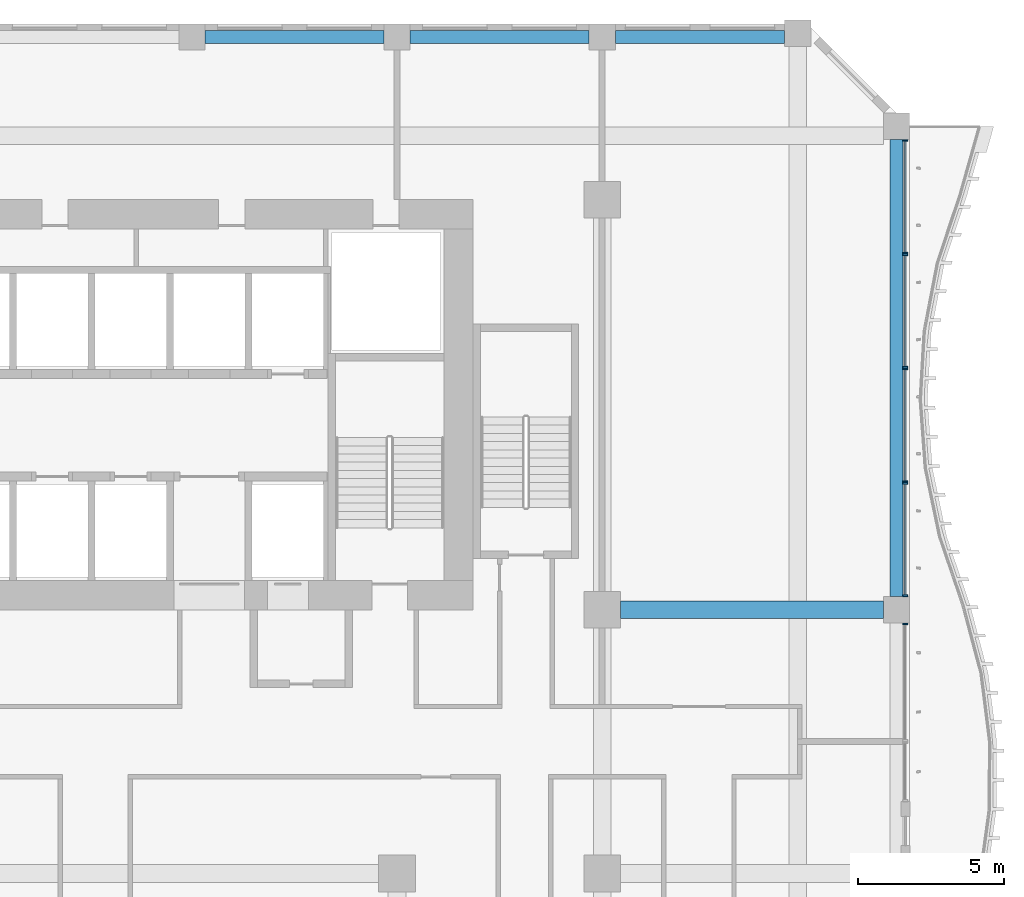
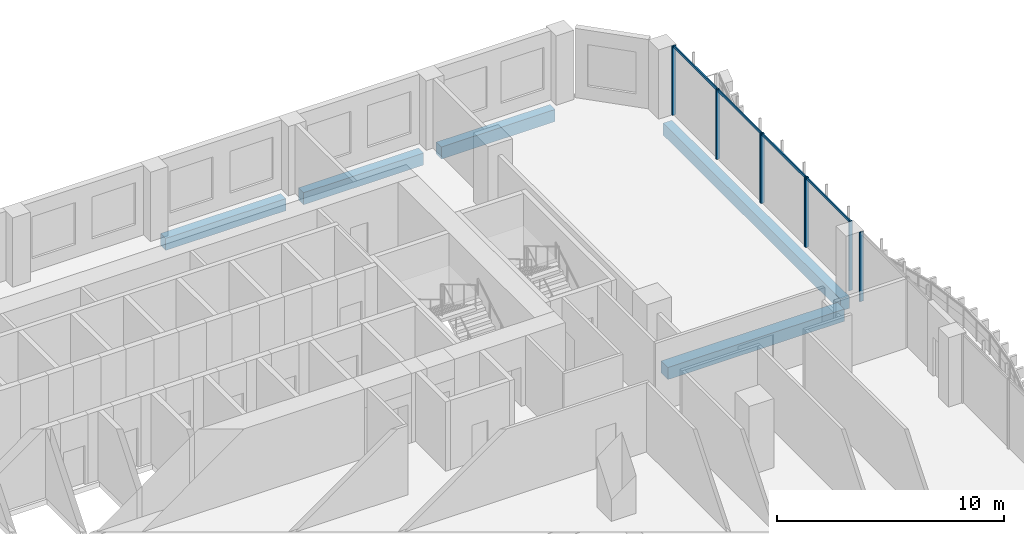
# One storey, part 11 of 29: 13 members, 5 beams, 5 elements without a shape of their own.
"""IFC4 building model written with IfcOpenShell, lengths in metres."""

from ifc_helpers import new_model, si_unit, direction, frame, origin, origin_2d, place, context, subcontext, project, spatial, rectangle, extrude, source, transform, mapped, material, material_profile, profile_set, type_object, element, aggregate, save


model = new_model("IFC4")

# Units and contexts
model_context = context("Model", 3, precision=1e-05, world=origin(), true_north=direction((0.0, 1.0)))
body_context = subcontext(model_context, "Body", "Model", "MODEL_VIEW")
ifc_project = project(units=[si_unit("LENGTHUNIT", "METRE"), si_unit("AREAUNIT", "SQUARE_METRE"), si_unit("VOLUMEUNIT", "CUBIC_METRE"), si_unit("PLANEANGLEUNIT", "RADIAN"), si_unit("MASSUNIT", "GRAM", prefix="KILO")], contexts=[model_context])

# Site, building, storey
site_placement = place(None, origin())
site = spatial("IfcSite", under=ifc_project, at=site_placement, CompositionType="ELEMENT")
building_placement = place(site_placement, origin())
building = spatial("IfcBuilding", under=site, at=building_placement, Name="Kilnfold Tower and Market Hall", CompositionType="ELEMENT")
storey_placement = place(building_placement, frame((0.0, 0.0, 79.199951171875)))
storey = spatial("IfcBuildingStorey", under=building, at=storey_placement, Name="L18", CompositionType="ELEMENT", Elevation=79.199951171875)

# Beams
ifc_material_1 = material(Name="Concrete C45", Category="concrete")
ifc_material_profile_1 = material_profile(ifc_material_1, rectangle(XDim=0.449951171875, YDim=0.64990234375, at=origin_2d()), Name="RC 450x650")
ifc_profile_set_1 = profile_set([ifc_material_profile_1], Name="Concrete C45")
beam_type_1 = type_object("IfcBeamType", Name="EDGE BEAM 450X650 C45", PredefinedType="BEAM", material=ifc_profile_set_1)
shared_shape_1 = source(origin(), body_context, "Body", "SweptSolid", [
    extrude(rectangle(XDim=0.449951171875, YDim=0.64990234375, at=origin_2d()), origin(), (0.0, 0.0, 1.0), 6.10009765625),
])
for number, where, z_axis, x_axis, name in (
    (1, (8.949951171875, 27.550048828125, -0.60498046875), (1.0, 0.0, 0.0), (0.0, 1.0, 0.0), "Beam EB650-B2.79"),
    (2, (15.949951171875, 27.550048828125, -0.60498046875), (1.0, 0.0, 0.0), (0.0, 1.0, 0.0), "Beam EB650-B2.80"),
):
    element("IfcBeam", number, at=place(storey_placement, frame(where, z_axis=z_axis, x_axis=x_axis)), inside=storey, type_object=beam_type_1, Name=name, PredefinedType="BEAM", context=body_context, shape_type="MappedRepresentation", body=[
        mapped(shared_shape_1, transform((0.0, 0.0, 0.0))),
    ])
shared_shape_2 = source(origin(), body_context, "Body", "SweptSolid", [
    extrude(rectangle(XDim=0.449951171875, YDim=0.64990234375, at=origin_2d()), origin(), (0.0, 0.0, 1.0), 5.78173828125),
])
beam_1_placement = place(storey_placement, frame((22.949951171875, 27.550048828125, -0.60498046875), z_axis=(1.0, 0.0, 0.0), x_axis=(0.0, 1.0, 0.0)))
element("IfcBeam", 3, at=beam_1_placement, inside=storey, type_object=beam_type_1, Name="Beam EB650-B2.81", PredefinedType="BEAM", context=body_context, shape_type="MappedRepresentation", body=[
    mapped(shared_shape_2, transform((0.0, 0.0, 0.0))),
])
shared_shape_3 = source(origin(), body_context, "Body", "SweptSolid", [
    extrude(rectangle(XDim=0.449951171875, YDim=0.64990234375, at=origin_2d()), origin(), (0.0, 0.0, 1.0), 15.60009765625),
])
beam_2_placement = place(storey_placement, frame((32.550048828125, 8.449951171875, -0.60498046875), z_axis=(0.0, 1.0, 0.0), x_axis=(-1.0, 0.0, 0.0)))
element("IfcBeam", 4, at=beam_2_placement, inside=storey, type_object=beam_type_1, Name="Beam EB650-B2.103", PredefinedType="BEAM", context=body_context, shape_type="MappedRepresentation", body=[
    mapped(shared_shape_3, transform((0.0, 0.0, 0.0))),
])
ifc_material_2 = material(Name="Concrete C45", Category="concrete")
ifc_material_profile_2 = material_profile(ifc_material_2, rectangle(XDim=0.60009765625, YDim=0.64990234375, at=origin_2d()), Name="RC 600x650")
ifc_profile_set_2 = profile_set([ifc_material_profile_2], Name="Concrete C45")
beam_type_2 = type_object("IfcBeamType", Name="BEAM 600X650 C45", PredefinedType="BEAM", material=ifc_profile_set_2)
shared_shape_4 = source(origin(), body_context, "Body", "SweptSolid", [
    extrude(rectangle(XDim=0.60009765625, YDim=0.64990234375, at=origin_2d()), origin(), (0.0, 0.0, 1.0), 8.97509765625),
])
beam_3_placement = place(storey_placement, frame((23.125, 8.0, -0.60498046875), z_axis=(1.0, 0.0, 0.0), x_axis=(0.0, 1.0, 0.0)))
element("IfcBeam", 5, at=beam_3_placement, inside=storey, type_object=beam_type_2, Name="Beam BB650-B2.73", PredefinedType="BEAM", context=body_context, shape_type="MappedRepresentation", body=[
    mapped(shared_shape_4, transform((0.0, 0.0, 0.0))),
])

# Curtain wall, member
ifc_material_3 = material(Name="Aluminium and double glazing", Category="aluminium")
curtain_wall_type = type_object("IfcCurtainWallType", Name="CW OF1 VALLEY GLAZING", PredefinedType="NOTDEFINED", material=ifc_material_3)
curtain_wall_1_placement = place(storey_placement, origin())
curtain_wall_1 = element("IfcCurtainWall", 6, at=curtain_wall_1_placement, inside=storey, type_object=curtain_wall_type, Name="Curtain wall CW1 L18 E", PredefinedType="NOTDEFINED")
ifc_material_4 = material(Name="Aluminium", Category="aluminium")
ifc_material_profile_3 = material_profile(ifc_material_4, rectangle(XDim=0.06005859375, YDim=0.179931640625, at=origin_2d()), Name="MULLION 60x180")
ifc_profile_set_3 = profile_set([ifc_material_profile_3], Name="Aluminium")
member_type_1 = type_object("IfcMemberType", Name="MULLION 60X180", PredefinedType="MULLION", material=ifc_profile_set_3)
shared_shape_5 = source(origin(), body_context, "Body", "SweptSolid", [
    extrude(rectangle(XDim=0.06005859375, YDim=0.179931640625, at=origin_2d()), origin(), (0.0, 0.0, 1.0), 3.719970703125),
])
member_1_placement = place(storey_placement, frame((32.85009765625, 7.52001953125, 0.0), z_axis=(0.0, 0.0, 1.0), x_axis=(0.0, 1.0, 0.0)))
member_1 = element("IfcMember", 7, at=member_1_placement, type_object=member_type_1, Name="CW1 mullion 2", PredefinedType="MULLION", context=body_context, shape_type="MappedRepresentation", body=[
    mapped(shared_shape_5, transform((0.0, 0.0, 0.0))),
])
aggregate(curtain_wall_1, [member_1])

# Curtain wall, members
curtain_wall_2_placement = place(storey_placement, origin())
curtain_wall_2 = element("IfcCurtainWall", 8, at=curtain_wall_2_placement, inside=storey, type_object=curtain_wall_type, Name="Curtain wall CW1 L18 E", PredefinedType="NOTDEFINED")
member_2_placement = place(storey_placement, frame((32.85009765625, 8.47998046875, 0.0), z_axis=(0.0, 0.0, 1.0), x_axis=(0.0, 1.0, 0.0)))
member_2 = element("IfcMember", 9, at=member_2_placement, type_object=member_type_1, Name="CW1 mullion 1", PredefinedType="MULLION", context=body_context, shape_type="MappedRepresentation", body=[
    mapped(shared_shape_5, transform((0.0, 0.0, 0.0))),
])
member_3_placement = place(storey_placement, frame((32.85009765625, 12.320068359375, 0.0), z_axis=(0.0, 0.0, 1.0), x_axis=(0.0, 1.0, 0.0)))
member_3 = element("IfcMember", 10, at=member_3_placement, type_object=member_type_1, Name="CW1 mullion 2", PredefinedType="MULLION", context=body_context, shape_type="MappedRepresentation", body=[
    mapped(shared_shape_5, transform((0.0, 0.0, 0.0))),
])

curtain_wall_3_placement = place(storey_placement, origin())
curtain_wall_3 = element("IfcCurtainWall", 11, at=curtain_wall_3_placement, inside=storey, type_object=curtain_wall_type, Name="Curtain wall CW1 L18 E", PredefinedType="NOTDEFINED")
member_4_placement = place(storey_placement, frame((32.85009765625, 12.3798828125, 0.0), z_axis=(0.0, 0.0, 1.0), x_axis=(0.0, 1.0, 0.0)))
member_4 = element("IfcMember", 12, at=member_4_placement, type_object=member_type_1, Name="CW1 mullion 1", PredefinedType="MULLION", context=body_context, shape_type="MappedRepresentation", body=[
    mapped(shared_shape_5, transform((0.0, 0.0, 0.0))),
])
member_5_placement = place(storey_placement, frame((32.85009765625, 16.219970703125, 0.0), z_axis=(0.0, 0.0, 1.0), x_axis=(0.0, 1.0, 0.0)))
member_5 = element("IfcMember", 13, at=member_5_placement, type_object=member_type_1, Name="CW1 mullion 2", PredefinedType="MULLION", context=body_context, shape_type="MappedRepresentation", body=[
    mapped(shared_shape_5, transform((0.0, 0.0, 0.0))),
])

curtain_wall_4_placement = place(storey_placement, origin())
curtain_wall_4 = element("IfcCurtainWall", 14, at=curtain_wall_4_placement, inside=storey, type_object=curtain_wall_type, Name="Curtain wall CW1 L18 E", PredefinedType="NOTDEFINED")
member_6_placement = place(storey_placement, frame((32.85009765625, 16.280029296875, 0.0), z_axis=(0.0, 0.0, 1.0), x_axis=(0.0, 1.0, 0.0)))
member_6 = element("IfcMember", 15, at=member_6_placement, type_object=member_type_1, Name="CW1 mullion 1", PredefinedType="MULLION", context=body_context, shape_type="MappedRepresentation", body=[
    mapped(shared_shape_5, transform((0.0, 0.0, 0.0))),
])
member_7_placement = place(storey_placement, frame((32.85009765625, 20.1201171875, 0.0), z_axis=(0.0, 0.0, 1.0), x_axis=(0.0, 1.0, 0.0)))
member_7 = element("IfcMember", 16, at=member_7_placement, type_object=member_type_1, Name="CW1 mullion 2", PredefinedType="MULLION", context=body_context, shape_type="MappedRepresentation", body=[
    mapped(shared_shape_5, transform((0.0, 0.0, 0.0))),
])

curtain_wall_5_placement = place(storey_placement, origin())
curtain_wall_5 = element("IfcCurtainWall", 17, at=curtain_wall_5_placement, inside=storey, type_object=curtain_wall_type, Name="Curtain wall CW1 L18 E", PredefinedType="NOTDEFINED")
member_8_placement = place(storey_placement, frame((32.85009765625, 20.179931640625, 0.0), z_axis=(0.0, 0.0, 1.0), x_axis=(0.0, 1.0, 0.0)))
member_8 = element("IfcMember", 18, at=member_8_placement, type_object=member_type_1, Name="CW1 mullion 1", PredefinedType="MULLION", context=body_context, shape_type="MappedRepresentation", body=[
    mapped(shared_shape_5, transform((0.0, 0.0, 0.0))),
])
member_9_placement = place(storey_placement, frame((32.85009765625, 24.02001953125, 0.0), z_axis=(0.0, 0.0, 1.0), x_axis=(0.0, 1.0, 0.0)))
member_9 = element("IfcMember", 19, at=member_9_placement, type_object=member_type_1, Name="CW1 mullion 2", PredefinedType="MULLION", context=body_context, shape_type="MappedRepresentation", body=[
    mapped(shared_shape_5, transform((0.0, 0.0, 0.0))),
])

# Member
ifc_material_5 = material(Name="Aluminium", Category="aluminium")
ifc_material_profile_4 = material_profile(ifc_material_5, rectangle(XDim=0.06005859375, YDim=0.139892578125, at=origin_2d()), Name="TRANSOM 60x140")
ifc_profile_set_4 = profile_set([ifc_material_profile_4], Name="Aluminium")
member_type_2 = type_object("IfcMemberType", Name="TRANSOM 60X140", PredefinedType="USERDEFINED", material=ifc_profile_set_4)
shared_shape_6 = source(origin(), body_context, "Body", "SweptSolid", [
    extrude(rectangle(XDim=0.06005859375, YDim=0.139892578125, at=origin_2d()), origin(), (0.0, 0.0, 1.0), 3.780029296875),
])
member_10_placement = place(storey_placement, frame((32.85009765625, 8.510009765625, 3.68994140625), z_axis=(0.0, 1.0, 0.0), x_axis=(-1.0, 0.0, 0.0)))
member_10 = element("IfcMember", 20, at=member_10_placement, type_object=member_type_2, Name="CW1 transom 1.2", ObjectType="TRANSOM", PredefinedType="USERDEFINED", context=body_context, shape_type="MappedRepresentation", body=[
    mapped(shared_shape_6, transform((0.0, 0.0, 0.0))),
])

aggregate(curtain_wall_2, [member_2, member_3, member_10])

member_11_placement = place(storey_placement, frame((32.85009765625, 12.409912109375, 3.68994140625), z_axis=(0.0, 1.0, 0.0), x_axis=(-1.0, 0.0, 0.0)))
member_11 = element("IfcMember", 21, at=member_11_placement, type_object=member_type_2, Name="CW1 transom 1.2", ObjectType="TRANSOM", PredefinedType="USERDEFINED", context=body_context, shape_type="MappedRepresentation", body=[
    mapped(shared_shape_6, transform((0.0, 0.0, 0.0))),
])

aggregate(curtain_wall_3, [member_4, member_5, member_11])

member_12_placement = place(storey_placement, frame((32.85009765625, 16.31005859375, 3.68994140625), z_axis=(0.0, 1.0, 0.0), x_axis=(-1.0, 0.0, 0.0)))
member_12 = element("IfcMember", 22, at=member_12_placement, type_object=member_type_2, Name="CW1 transom 1.2", ObjectType="TRANSOM", PredefinedType="USERDEFINED", context=body_context, shape_type="MappedRepresentation", body=[
    mapped(shared_shape_6, transform((0.0, 0.0, 0.0))),
])

aggregate(curtain_wall_4, [member_6, member_7, member_12])

member_13_placement = place(storey_placement, frame((32.85009765625, 20.2099609375, 3.68994140625), z_axis=(0.0, 1.0, 0.0), x_axis=(-1.0, 0.0, 0.0)))
member_13 = element("IfcMember", 23, at=member_13_placement, type_object=member_type_2, Name="CW1 transom 1.2", ObjectType="TRANSOM", PredefinedType="USERDEFINED", context=body_context, shape_type="MappedRepresentation", body=[
    mapped(shared_shape_6, transform((0.0, 0.0, 0.0))),
])

aggregate(curtain_wall_5, [member_8, member_9, member_13])

save(model, "model.ifc")
